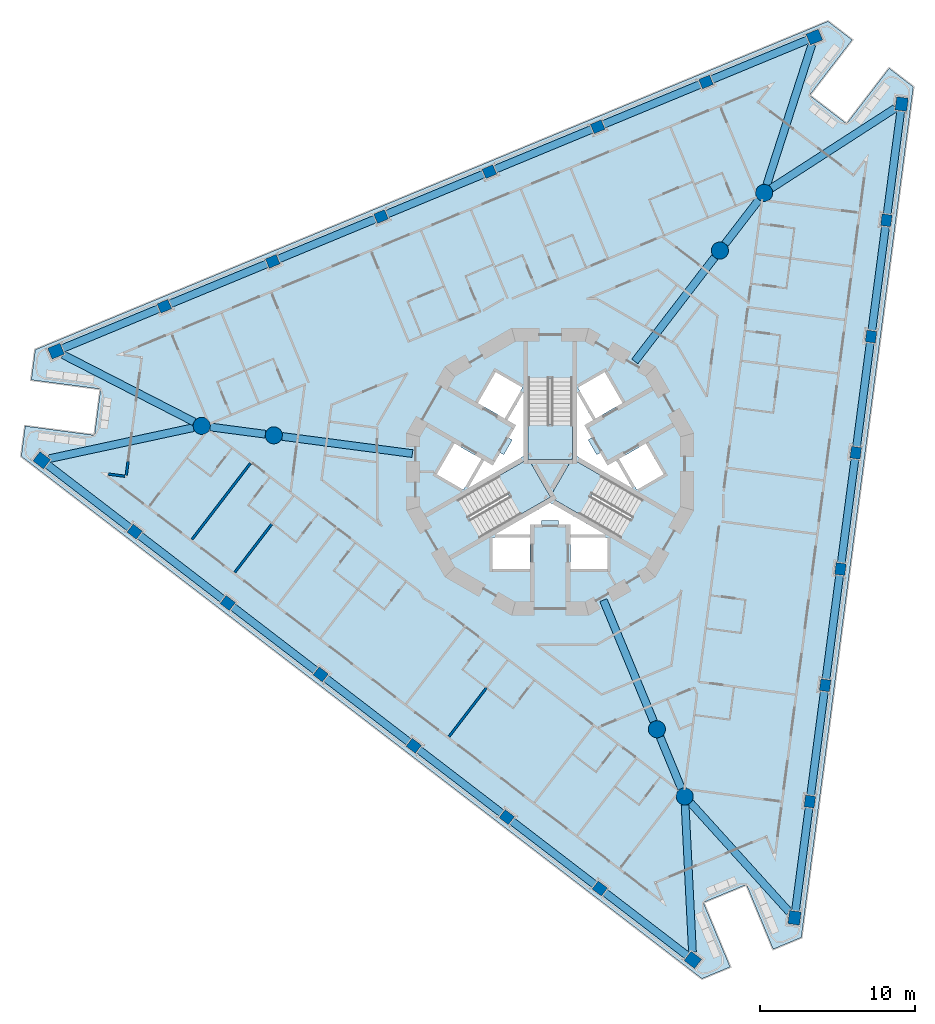
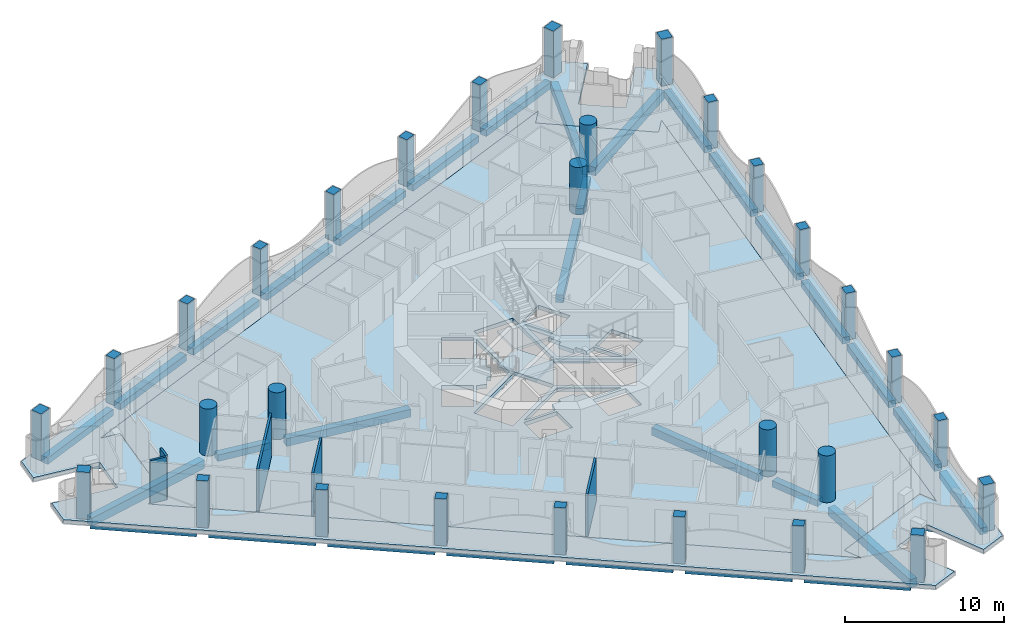
# One storey, part 1 of 18: 33 beams, 30 columns, 6 slabs, 5 walls, 3 elements without a shape of their own.
"""IFC4 building model written with IfcOpenShell, lengths in metres."""

from ifc_helpers import new_model, si_unit, direction, frame, frame_2d, origin, origin_2d, place, context, subcontext, project, spatial, polyline, rectangle, circle, outline, extrude, material, layer, layer_set, material_profile, profile_set, type_object, element, aggregate, save


model = new_model("IFC4")

# Units and contexts
model_context = context("Model", 3, precision=1e-05, world=origin(), true_north=direction((0.0, 1.0)))
body_context = subcontext(model_context, "Body", "Model", "MODEL_VIEW")
ifc_project = project(units=[si_unit("LENGTHUNIT", "METRE"), si_unit("AREAUNIT", "SQUARE_METRE"), si_unit("VOLUMEUNIT", "CUBIC_METRE"), si_unit("PLANEANGLEUNIT", "RADIAN"), si_unit("MASSUNIT", "GRAM", prefix="KILO")], contexts=[model_context])

# Site, building, storey
site_placement = place(None, origin())
site = spatial("IfcSite", under=ifc_project, at=site_placement, CompositionType="ELEMENT")
building_placement = place(site_placement, origin())
building = spatial("IfcBuilding", under=site, at=building_placement, Name="Trine Commons Tower", CompositionType="ELEMENT")
storey_placement = place(building_placement, frame((0.0, 0.0, 142.199951171875)))
storey = spatial("IfcBuildingStorey", under=building, at=storey_placement, Name="L36", CompositionType="ELEMENT", Elevation=142.199951171875)

# Columns
ifc_material_1 = material(Name="Concrete C70/85", Category="concrete")
ifc_material_profile_1 = material_profile(ifc_material_1, rectangle(XDim=0.75, YDim=0.64990234375, at=origin_2d()), Name="RC 750x650")
ifc_profile_set_1 = profile_set([ifc_material_profile_1], Name="Concrete C70/85")
column_type_1 = type_object("IfcColumnType", Name="RC column 750x650, C70/85", PredefinedType="COLUMN", material=ifc_profile_set_1)
for number, where, z_axis, x_axis, name in (
    (1, (83.197021484375, 35.652587890625, 0.0), (0.0, 0.0, 1.0), (-0.793353340291, 0.608761429009, 0.0), "Column PC4-02 L36"),
    (2, (77.20556640625, 40.25, 0.0), (0.0, 0.0, 1.0), (-0.793353340291, 0.608761429009, 0.0), "Column PC4-03 L36"),
    (3, (71.214111328125, 44.847412109375, 0.0), (0.0, 0.0, 1.0), (-0.793353340291, 0.608761429009, 0.0), "Column PC4-04 L36"),
    (4, (65.222900390625, 49.444580078125, 0.0), (0.0, 0.0, 1.0), (-0.793353340291, 0.608761429009, 0.0), "Column PC4-05 L36"),
    (5, (59.2314453125, 54.0419921875, 0.0), (0.0, 0.0, 1.0), (-0.793353340291, 0.608761429009, 0.0), "Column PC4-06 L36"),
    (6, (53.239990234375, 58.639404296875, 0.0), (0.0, 0.0, 1.0), (-0.793353340291, 0.608761429009, 0.0), "Column PC4-07 L36"),
    (7, (55.151123046875, 73.155029296875, 0.0), (0.0, 0.0, 1.0), (0.923879532511, 0.382683432365, 0.0), "Column PC4-10 L36"),
    (8, (62.128173828125, 76.044921875, 0.0), (0.0, 0.0, 1.0), (0.923879532511, 0.382683432365, 0.0), "Column PC4-11 L36"),
    (9, (69.105224609375, 78.93505859375, 0.0), (0.0, 0.0, 1.0), (0.923879532511, 0.382683432365, 0.0), "Column PC4-12 L36"),
    (10, (76.08251953125, 81.8251953125, 0.0), (0.0, 0.0, 1.0), (0.923879532511, 0.382683432365, 0.0), "Column PC4-13 L36"),
    (11, (83.0595703125, 84.715087890625, 0.0), (0.0, 0.0, 1.0), (0.923879532511, 0.382683432365, 0.0), "Column PC4-14 L36"),
    (12, (90.03662109375, 87.60498046875, 0.0), (0.0, 0.0, 1.0), (0.923879532511, 0.382683432365, 0.0), "Column PC4-15 L36"),
    (13, (101.652099609375, 78.692138671875, 0.0), (0.0, 0.0, 1.0), (0.13052619222, 0.991444861374, 0.0), "Column PC4-18 L36"),
    (14, (100.666259765625, 71.204833984375, 0.0), (0.0, 0.0, 1.0), (0.13052619222, 0.991444861374, 0.0), "Column PC4-19 L36"),
    (15, (99.680419921875, 63.717529296875, 0.0), (0.0, 0.0, 1.0), (0.13052619222, 0.991444861374, 0.0), "Column PC4-20 L36"),
    (16, (98.69482421875, 56.230224609375, 0.0), (0.0, 0.0, 1.0), (0.13052619222, 0.991444861374, 0.0), "Column PC4-21 L36"),
    (17, (97.708984375, 48.742919921875, 0.0), (0.0, 0.0, 1.0), (0.13052619222, 0.991444861374, 0.0), "Column PC4-22 L36"),
    (18, (96.723388671875, 41.255615234375, 0.0), (0.0, 0.0, 1.0), (0.13052619222, 0.991444861374, 0.0), "Column PC4-23 L36"),
):
    element("IfcColumn", number, at=place(storey_placement, frame(where, z_axis=z_axis, x_axis=x_axis)), inside=storey, type_object=column_type_1, Name=name, PredefinedType="COLUMN", context=body_context, shape_type="SweptSolid", body=[
        extrude(rectangle(XDim=0.75, YDim=0.64990234375, at=origin_2d()), origin(), (0.0, 0.0, 1.0), 3.60009765625),
    ])
ifc_material_profile_2 = material_profile(ifc_material_1, rectangle(XDim=0.85009765625, YDim=0.75, at=origin_2d()), Name="RC 850x750")
ifc_profile_set_2 = profile_set([ifc_material_profile_2], Name="Concrete C70/85")
column_type_2 = type_object("IfcColumnType", Name="RC column 850x750, C70/85", PredefinedType="COLUMN", material=ifc_profile_set_2)
for number, where, z_axis, x_axis, name in (
    (19, (89.188232421875, 31.055419921875, 0.0), (0.0, 0.0, 1.0), (-0.793353340291, 0.608761429009, 0.0), "Column PC4-01 L36"),
    (20, (47.248779296875, 63.23681640625, 0.0), (0.0, 0.0, 1.0), (-0.793353340291, 0.608761429009, 0.0), "Column PC4-08 L36"),
    (21, (48.174072265625, 70.264892578125, 0.0), (0.0, 0.0, 1.0), (0.923879532511, 0.382683432365, 0.0), "Column PC4-09 L36"),
    (22, (97.013671875, 90.4951171875, 0.0), (0.0, 0.0, 1.0), (0.923879532511, 0.382683432365, 0.0), "Column PC4-16 L36"),
    (23, (102.6376953125, 86.1796875, 0.0), (0.0, 0.0, 1.0), (0.13052619222, 0.991444861374, 0.0), "Column PC4-17 L36"),
    (24, (95.737548828125, 33.768310546875, 0.0), (0.0, 0.0, 1.0), (0.13052619222, 0.991444861374, 0.0), "Column PC4-24 L36"),
):
    element("IfcColumn", number, at=place(storey_placement, frame(where, z_axis=z_axis, x_axis=x_axis)), inside=storey, type_object=column_type_2, Name=name, PredefinedType="COLUMN", context=body_context, shape_type="SweptSolid", body=[
        extrude(rectangle(XDim=0.85009765625, YDim=0.75, at=origin_2d()), origin(), (0.0, 0.0, 1.0), 3.60009765625),
    ])
ifc_material_profile_3 = material_profile(ifc_material_1, circle(Radius=0.550048828125, at=origin_2d()), Name="RC round 1100")
ifc_profile_set_3 = profile_set([ifc_material_profile_3], Name="Concrete C70/85")
column_type_3 = type_object("IfcColumnType", Name="RC round column 1100 mm, C70/85", PredefinedType="COLUMN", material=ifc_profile_set_3)
for number, where, z_axis, x_axis, name in (
    (25, (86.87109375, 45.912109375, 0.0), (0.0, 0.0, 1.0), (1.0, 0.0, 0.0), "Column WC4-1 L36"),
    (26, (88.66259765625, 41.58642578125, 0.0), (0.0, 0.0, 1.0), (1.0, 0.0, 0.0), "Column WC4-2 L36"),
    (27, (90.93017578125, 76.744384765625, 0.0), (0.0, 0.0, 1.0), (1.0, 0.0, 0.0), "Column WC4-3 L36"),
    (28, (93.7802734375, 80.458984375, 0.0), (0.0, 0.0, 1.0), (1.0, 0.0, 0.0), "Column WC4-4 L36"),
    (29, (62.198974609375, 64.843505859375, 0.0), (0.0, 0.0, 1.0), (1.0, 0.0, 0.0), "Column WC4-5 L36"),
    (30, (57.556884765625, 65.45458984375, 0.0), (0.0, 0.0, 1.0), (1.0, 0.0, 0.0), "Column WC4-6 L36"),
):
    element("IfcColumn", number, at=place(storey_placement, frame(where, z_axis=z_axis, x_axis=x_axis)), inside=storey, type_object=column_type_3, Name=name, PredefinedType="COLUMN", context=body_context, shape_type="SweptSolid", body=[
        extrude(circle(Radius=0.550048828125, at=origin_2d()), origin(), (0.0, 0.0, 1.0), 3.60009765625),
    ])

# Beams
ifc_material_2 = material(Name="Concrete C50/60", Category="concrete")
ifc_material_profile_4 = material_profile(ifc_material_2, rectangle(XDim=0.5, YDim=0.5, at=origin_2d()), Name="RC 500x500")
ifc_profile_set_4 = profile_set([ifc_material_profile_4], Name="Concrete C50/60")
beam_type_1 = type_object("IfcBeamType", Name="RC beam 500x500, C50/60", PredefinedType="BEAM", material=ifc_profile_set_4)
beam_1_placement = place(storey_placement, frame((88.85107421875, 31.314208984375, -0.550048828125), z_axis=(-0.793369431695, 0.608740457709, 0.0), x_axis=(-0.608740457709, -0.793369431695, 0.0)))
element("IfcBeam", 31, at=beam_1_placement, inside=storey, type_object=beam_type_1, Name="Beam EB4-01 L36", PredefinedType="BEAM", context=body_context, shape_type="SweptSolid", body=[
    extrude(rectangle(XDim=0.5, YDim=0.5, at=origin_2d()), origin(), (0.0, 0.0, 1.0), 6.751708984375),
])
beam_2_placement = place(storey_placement, frame((82.8994140625, 35.881103515625, -0.550048828125), z_axis=(-0.793370600973, 0.60873893379, 0.0), x_axis=(-0.60873893379, -0.793370600973, 0.0)))
element("IfcBeam", 32, at=beam_2_placement, inside=storey, type_object=beam_type_1, Name="Beam EB4-02 L36", PredefinedType="BEAM", context=body_context, shape_type="SweptSolid", body=[
    extrude(rectangle(XDim=0.5, YDim=0.5, at=origin_2d()), origin(), (0.0, 0.0, 1.0), 6.802001953125),
])
beam_3_placement = place(storey_placement, frame((76.907958984375, 40.478515625, -0.550048828125), z_axis=(-0.793357299922, 0.608756268682, 0.0), x_axis=(-0.608756268682, -0.793357299922, 0.0)))
element("IfcBeam", 33, at=beam_3_placement, inside=storey, type_object=beam_type_1, Name="Beam EB4-03 L36", PredefinedType="BEAM", context=body_context, shape_type="SweptSolid", body=[
    extrude(rectangle(XDim=0.5, YDim=0.5, at=origin_2d()), origin(), (0.0, 0.0, 1.0), 6.8017578125),
])
beam_4_placement = place(storey_placement, frame((70.916748046875, 45.07568359375, -0.550048828125), z_axis=(-0.793370600973, 0.60873893379, 0.0), x_axis=(-0.60873893379, -0.793370600973, 0.0)))
element("IfcBeam", 34, at=beam_4_placement, inside=storey, type_object=beam_type_1, Name="Beam EB4-04 L36", PredefinedType="BEAM", context=body_context, shape_type="SweptSolid", body=[
    extrude(rectangle(XDim=0.5, YDim=0.5, at=origin_2d()), origin(), (0.0, 0.0, 1.0), 6.802001953125),
])
beam_5_placement = place(storey_placement, frame((64.92529296875, 49.673095703125, -0.550048828125), z_axis=(-0.793357299922, 0.608756268682, 0.0), x_axis=(-0.608756268682, -0.793357299922, 0.0)))
element("IfcBeam", 35, at=beam_5_placement, inside=storey, type_object=beam_type_1, Name="Beam EB4-05 L36", PredefinedType="BEAM", context=body_context, shape_type="SweptSolid", body=[
    extrude(rectangle(XDim=0.5, YDim=0.5, at=origin_2d()), origin(), (0.0, 0.0, 1.0), 6.8017578125),
])
beam_6_placement = place(storey_placement, frame((58.93408203125, 54.2705078125, -0.550048828125), z_axis=(-0.793370600973, 0.60873893379, 0.0), x_axis=(-0.60873893379, -0.793370600973, 0.0)))
element("IfcBeam", 36, at=beam_6_placement, inside=storey, type_object=beam_type_1, Name="Beam EB4-06 L36", PredefinedType="BEAM", context=body_context, shape_type="SweptSolid", body=[
    extrude(rectangle(XDim=0.5, YDim=0.5, at=origin_2d()), origin(), (0.0, 0.0, 1.0), 6.802001953125),
])
for number, where, z_axis, x_axis, name in (
    (37, (52.942626953125, 58.86767578125, -0.550048828125), (-0.793351968439, 0.608763216838, 0.0), (-0.608763216838, -0.793351968439, 0.0), "Beam EB4-07 L36"),
    (38, (48.566650390625, 70.427490234375, -0.550048828125), (0.923874044744, 0.382696680739, 0.0), (-0.382696680739, 0.923874044744, 0.0), "Beam EB4-08 L36"),
):
    element("IfcBeam", number, at=place(storey_placement, frame(where, z_axis=z_axis, x_axis=x_axis)), inside=storey, type_object=beam_type_1, Name=name, PredefinedType="BEAM", context=body_context, shape_type="SweptSolid", body=[
        extrude(rectangle(XDim=0.5, YDim=0.5, at=origin_2d()), origin(), (0.0, 0.0, 1.0), 6.751953125),
    ])
for number, where, z_axis, x_axis, name in (
    (39, (55.49755859375, 73.298583984375, -0.550048828125), (0.923877719045, 0.38268781043, 0.0), (-0.38268781043, 0.923877719045, 0.0), "Beam EB4-09 L36"),
    (40, (62.474609375, 76.1884765625, -0.550048828125), (0.923877719045, 0.38268781043, 0.0), (-0.38268781043, 0.923877719045, 0.0), "Beam EB4-10 L36"),
):
    element("IfcBeam", number, at=place(storey_placement, frame(where, z_axis=z_axis, x_axis=x_axis)), inside=storey, type_object=beam_type_1, Name=name, PredefinedType="BEAM", context=body_context, shape_type="SweptSolid", body=[
        extrude(rectangle(XDim=0.5, YDim=0.5, at=origin_2d()), origin(), (0.0, 0.0, 1.0), 6.802001953125),
    ])
for number, where, z_axis, x_axis, name in (
    (41, (69.451904296875, 79.07861328125, -0.550048828125), (0.923872462302, 0.382700500915, 0.0), (-0.382700500915, 0.923872462302, 0.0), "Beam EB4-11 L36"),
    (42, (76.428955078125, 81.968505859375, -0.550048828125), (0.923872462302, 0.382700500915, 0.0), (-0.382700500915, 0.923872462302, 0.0), "Beam EB4-12 L36"),
):
    element("IfcBeam", number, at=place(storey_placement, frame(where, z_axis=z_axis, x_axis=x_axis)), inside=storey, type_object=beam_type_1, Name=name, PredefinedType="BEAM", context=body_context, shape_type="SweptSolid", body=[
        extrude(rectangle(XDim=0.5, YDim=0.5, at=origin_2d()), origin(), (0.0, 0.0, 1.0), 6.8017578125),
    ])
beam_7_placement = place(storey_placement, frame((83.406005859375, 84.858642578125, -0.550048828125), z_axis=(0.923877719045, 0.38268781043, 0.0), x_axis=(-0.38268781043, 0.923877719045, 0.0)))
element("IfcBeam", 43, at=beam_7_placement, inside=storey, type_object=beam_type_1, Name="Beam EB4-13 L36", PredefinedType="BEAM", context=body_context, shape_type="SweptSolid", body=[
    extrude(rectangle(XDim=0.5, YDim=0.5, at=origin_2d()), origin(), (0.0, 0.0, 1.0), 6.802001953125),
])
beam_8_placement = place(storey_placement, frame((90.383056640625, 87.74853515625, -0.550048828125), z_axis=(0.923874044744, 0.382696680739, 0.0), x_axis=(-0.382696680739, 0.923874044744, 0.0)))
element("IfcBeam", 44, at=beam_8_placement, inside=storey, type_object=beam_type_1, Name="Beam EB4-14 L36", PredefinedType="BEAM", context=body_context, shape_type="SweptSolid", body=[
    extrude(rectangle(XDim=0.5, YDim=0.5, at=origin_2d()), origin(), (0.0, 0.0, 1.0), 6.751953125),
])
beam_9_placement = place(storey_placement, frame((102.582275390625, 85.75830078125, -0.550048828125), z_axis=(-0.130529338233, -0.991444447188, 0.0), x_axis=(0.991444447188, -0.130529338233, 0.0)))
element("IfcBeam", 45, at=beam_9_placement, inside=storey, type_object=beam_type_1, Name="Beam EB4-15 L36", PredefinedType="BEAM", context=body_context, shape_type="SweptSolid", body=[
    extrude(rectangle(XDim=0.5, YDim=0.5, at=origin_2d()), origin(), (0.0, 0.0, 1.0), 6.752197265625),
])
for number, where, z_axis, x_axis, name in (
    (46, (101.60302734375, 78.3203125, -0.550048828125), (-0.13054364647, -0.991442563322, 0.0), (0.991442563322, -0.13054364647, 0.0), "Beam EB4-16 L36"),
    (47, (100.6171875, 70.8330078125, -0.550048828125), (-0.13050836468, -0.991447208251, 0.0), (0.991447208251, -0.13050836468, 0.0), "Beam EB4-17 L36"),
    (48, (99.631591796875, 63.345703125, -0.550048828125), (-0.13054364647, -0.991442563322, 0.0), (0.991442563322, -0.13054364647, 0.0), "Beam EB4-18 L36"),
    (49, (98.64599609375, 55.8583984375, -0.550048828125), (-0.13054364647, -0.991442563322, 0.0), (0.991442563322, -0.13054364647, 0.0), "Beam EB4-19 L36"),
    (50, (97.66015625, 48.37109375, -0.550048828125), (-0.13054364647, -0.991442563322, 0.0), (0.991442563322, -0.13054364647, 0.0), "Beam EB4-20 L36"),
):
    element("IfcBeam", number, at=place(storey_placement, frame(where, z_axis=z_axis, x_axis=x_axis)), inside=storey, type_object=beam_type_1, Name=name, PredefinedType="BEAM", context=body_context, shape_type="SweptSolid", body=[
        extrude(rectangle(XDim=0.5, YDim=0.5, at=origin_2d()), origin(), (0.0, 0.0, 1.0), 6.8017578125),
    ])
beam_10_placement = place(storey_placement, frame((96.67431640625, 40.8837890625, -0.550048828125), z_axis=(-0.130498474521, -0.991448510084, 0.0), x_axis=(0.991448510084, -0.130498474521, 0.0)))
element("IfcBeam", 51, at=beam_10_placement, inside=storey, type_object=beam_type_1, Name="Beam EB4-21 L36", PredefinedType="BEAM", context=body_context, shape_type="SweptSolid", body=[
    extrude(rectangle(XDim=0.5, YDim=0.5, at=origin_2d()), origin(), (0.0, 0.0, 1.0), 6.751708984375),
])
beam_11_placement = place(storey_placement, frame((87.08154296875, 45.40380859375, -0.550048828125), z_axis=(0.382644753509, -0.92389555287, 0.0), x_axis=(0.92389555287, 0.382644753509, 0.0)))
element("IfcBeam", 52, at=beam_11_placement, inside=storey, type_object=beam_type_1, Name="Beam RB4-02 L36", PredefinedType="BEAM", context=body_context, shape_type="SweptSolid", body=[
    extrude(rectangle(XDim=0.5, YDim=0.5, at=origin_2d()), origin(), (0.0, 0.0, 1.0), 3.58203125),
])
beam_12_placement = place(storey_placement, frame((91.2646484375, 77.180419921875, -0.550048828125), z_axis=(0.608761938472, 0.793352949366, 0.0), x_axis=(-0.793352949366, 0.608761938472, 0.0)))
element("IfcBeam", 53, at=beam_12_placement, inside=storey, type_object=beam_type_1, Name="Beam RB4-04 L36", PredefinedType="BEAM", context=body_context, shape_type="SweptSolid", body=[
    extrude(rectangle(XDim=0.5, YDim=0.5, at=origin_2d()), origin(), (0.0, 0.0, 1.0), 3.5830078125),
])
beam_13_placement = place(storey_placement, frame((61.654296875, 64.915283203125, -0.550048828125), z_axis=(-0.991441999821, 0.13054792603, 0.0), x_axis=(-0.13054792603, -0.991441999821, 0.0)))
element("IfcBeam", 54, at=beam_13_placement, inside=storey, type_object=beam_type_1, Name="Beam RB4-06 L36", PredefinedType="BEAM", context=body_context, shape_type="SweptSolid", body=[
    extrude(rectangle(XDim=0.5, YDim=0.5, at=origin_2d()), origin(), (0.0, 0.0, 1.0), 3.583251953125),
])
ifc_material_profile_5 = material_profile(ifc_material_2, rectangle(XDim=0.5, YDim=0.60009765625, at=origin_2d()), Name="RC 500x600")
ifc_profile_set_5 = profile_set([ifc_material_profile_5], Name="Concrete C50/60")
beam_type_2 = type_object("IfcBeamType", Name="RC beam 500x600, C50/60", PredefinedType="BEAM", material=ifc_profile_set_5)
beam_14_placement = place(storey_placement, frame((83.426025390625, 54.228515625, -0.599853515625), z_axis=(0.382688551836, -0.92387741194, 0.0), x_axis=(0.92387741194, 0.382688551836, 0.0)))
element("IfcBeam", 55, at=beam_14_placement, inside=storey, type_object=beam_type_2, Name="Beam RB4-01 L36", PredefinedType="BEAM", context=body_context, shape_type="SweptSolid", body=[
    extrude(rectangle(XDim=0.5, YDim=0.60009765625, at=origin_2d()), origin(), (0.0, 0.0, 1.0), 8.45166015625),
])
for number, where, z_axis, x_axis, name in (
    (56, (85.4501953125, 69.602783203125, -0.599853515625), (0.608758331545, 0.793355717049, 0.0), (-0.793355717049, 0.608758331545, 0.0), "Beam RB4-03 L36"),
    (57, (71.123779296875, 63.668701171875, -0.599853515625), (-0.991444756637, 0.130526987771, 0.0), (-0.130526987771, -0.991444756637, 0.0), "Beam RB4-05 L36"),
):
    element("IfcBeam", number, at=place(storey_placement, frame(where, z_axis=z_axis, x_axis=x_axis)), inside=storey, type_object=beam_type_2, Name=name, PredefinedType="BEAM", context=body_context, shape_type="SweptSolid", body=[
        extrude(rectangle(XDim=0.5, YDim=0.60009765625, at=origin_2d()), origin(), (0.0, 0.0, 1.0), 8.452392578125),
    ])
ifc_material_profile_6 = material_profile(ifc_material_2, rectangle(XDim=0.5, YDim=0.64990234375, at=origin_2d()), Name="RC 500x650")
ifc_profile_set_6 = profile_set([ifc_material_profile_6], Name="Concrete C50/60")
beam_type_3 = type_object("IfcBeamType", Name="RC beam 500x650, C50/60", PredefinedType="BEAM", material=ifc_profile_set_6)
for number, where, z_axis, x_axis, name in (
    (58, (47.729736328125, 63.340087890625, -0.625), (0.977623092321, 0.210364182695, 0.0), (-0.210364182695, 0.977623092321, 0.0), "Beam CB4-01 L36"),
    (59, (48.61181640625, 70.04052734375, -0.625), (0.88987015168, -0.456213889692, 0.0), (0.456213889692, 0.88987015168, 0.0), "Beam CB4-02 L36"),
):
    element("IfcBeam", number, at=place(storey_placement, frame(where, z_axis=z_axis, x_axis=x_axis)), inside=storey, type_object=beam_type_3, Name=name, PredefinedType="BEAM", context=body_context, shape_type="SweptSolid", body=[
        extrude(rectangle(XDim=0.5, YDim=0.64990234375, at=origin_2d()), origin(), (0.0, 0.0, 1.0), 9.502685546875),
    ])
for number, where, z_axis, x_axis, name in (
    (60, (96.86279296875, 90.026611328125, -0.625), (-0.306661957359, -0.951818493153, 0.0), (0.951818493153, -0.306661957359, 0.0), "Beam CB4-03 L36"),
    (61, (102.224365234375, 85.91259765625, -0.625), (-0.840029620135, -0.542540539772, 0.0), (0.542540539772, -0.840029620135, 0.0), "Beam CB4-04 L36"),
):
    element("IfcBeam", number, at=place(storey_placement, frame(where, z_axis=z_axis, x_axis=x_axis)), inside=storey, type_object=beam_type_3, Name=name, PredefinedType="BEAM", context=body_context, shape_type="SweptSolid", body=[
        extrude(rectangle(XDim=0.5, YDim=0.64990234375, at=origin_2d()), origin(), (0.0, 0.0, 1.0), 9.50244140625),
    ])
beam_15_placement = place(storey_placement, frame((95.407470703125, 34.133056640625, -0.625), z_axis=(-0.670979247329, 0.74147612885, 0.0), x_axis=(-0.74147612885, -0.670979247329, 0.0)))
element("IfcBeam", 62, at=beam_15_placement, inside=storey, type_object=beam_type_3, Name="Beam CB4-05 L36", PredefinedType="BEAM", context=body_context, shape_type="SweptSolid", body=[
    extrude(rectangle(XDim=0.5, YDim=0.64990234375, at=origin_2d()), origin(), (0.0, 0.0, 1.0), 9.5029296875),
])
beam_16_placement = place(storey_placement, frame((89.163818359375, 31.546875, -0.625), z_axis=(-0.049841513837, 0.998757139398, 0.0), x_axis=(-0.998757139398, -0.049841513837, 0.0)))
element("IfcBeam", 63, at=beam_16_placement, inside=storey, type_object=beam_type_3, Name="Beam CB4-06 L36", PredefinedType="BEAM", context=body_context, shape_type="SweptSolid", body=[
    extrude(rectangle(XDim=0.5, YDim=0.64990234375, at=origin_2d()), origin(), (0.0, 0.0, 1.0), 9.502685546875),
])

# Slabs
ifc_layer_1 = layer(ifc_material_2, 0.300048828125)
ifc_layer_set_1 = layer_set([ifc_layer_1], Name="Concrete C50/60")
slab_type_1 = type_object("IfcSlabType", Name="Loggia slab 300 mm, C50/60", PredefinedType="FLOOR", material=ifc_layer_set_1)
slab_1_placement = place(storey_placement, frame((0.0, 0.0, -0.300048828125)))
element("IfcSlab", 64, at=slab_1_placement, inside=storey, type_object=slab_type_1, Name="Loggia slab L36", PredefinedType="FLOOR", context=body_context, shape_type="SweptSolid", body=[
    extrude(outline(polyline([(96.17578125, 32.500244140625), (103.38916015625, 87.291015625), (101.8310546875, 88.48681640625), (99.091552734375, 84.91650390625), (96.71142578125, 86.742919921875), (99.450927734375, 90.31298828125), (97.892578125, 91.508544921875), (46.835693359375, 70.360107421875), (46.579345703125, 68.412841796875), (51.041015625, 67.825439453125), (50.6494140625, 64.85107421875), (46.187744140625, 65.4384765625), (45.931396484375, 63.4912109375), (89.77490234375, 29.848876953125), (91.589599609375, 30.6005859375), (89.867431640625, 34.758056640625), (92.63916015625, 35.906005859375), (94.361328125, 31.74853515625), (96.17578125, 32.500244140625)]), holes=[polyline([(87.24658203125, 34.814208984375), (86.731689453125, 36.056884765625), (93.93798828125, 39.041748046875), (94.452880859375, 37.799072265625), (100.353271484375, 82.618408203125), (99.53466796875, 81.551513671875), (93.346435546875, 86.2998046875), (94.165283203125, 87.366943359375), (52.400146484375, 70.067138671875), (53.733642578125, 69.8916015625), (52.715576171875, 62.158447265625), (51.382080078125, 62.333984375), (87.24658203125, 34.814208984375)])]), origin(), (0.0, 0.0, 1.0), 0.300048828125),
])
ifc_layer_2 = layer(ifc_material_2, 0.300048828125)
ifc_layer_set_2 = layer_set([ifc_layer_2], Name="Concrete C50/60")
slab_type_2 = type_object("IfcSlabType", Name="PT flat slab 300 mm, C50/60", PredefinedType="FLOOR", material=ifc_layer_set_2)
slab_2_placement = place(storey_placement, frame((0.0, 0.0, -0.300048828125)))
element("IfcSlab", 65, at=slab_2_placement, inside=storey, type_object=slab_type_2, Name="Floor slab L36", PredefinedType="FLOOR", context=body_context, shape_type="SweptSolid", body=[
    extrude(outline(polyline([(51.382080078125, 62.333984375), (87.24658203125, 34.814208984375), (86.731689453125, 36.056884765625), (93.93798828125, 39.041748046875), (94.452880859375, 37.799072265625), (100.353271484375, 82.618408203125), (99.53466796875, 81.551513671875), (93.346435546875, 86.2998046875), (94.165283203125, 87.366943359375), (52.400146484375, 70.067138671875), (53.733642578125, 69.8916015625), (52.715576171875, 62.158447265625), (51.382080078125, 62.333984375)]), holes=[polyline([(78.699951171875, 56.25), (78.699951171875, 58.25), (76.300048828125, 58.25), (76.300048828125, 56.25), (78.699951171875, 56.25)]), polyline([(80.0, 60.8544921875), (84.4755859375, 58.2705078125), (85.900390625, 60.73876953125), (81.425048828125, 63.32275390625), (81.425048828125, 68.490478515625), (78.574951171875, 68.490478515625), (78.574951171875, 63.32275390625), (74.099609375, 60.73876953125), (75.5244140625, 58.2705078125), (80.0, 60.8544921875)]), polyline([(73.83740234375, 64.325927734375), (72.687255859375, 62.333984375), (74.41943359375, 61.333984375), (75.5693359375, 63.325927734375), (73.83740234375, 64.325927734375)]), polyline([(76.381103515625, 63.031005859375), (75.742919921875, 63.22607421875), (74.7099609375, 61.43798828125), (78.27490234375, 63.49609375), (78.27490234375, 67.612060546875), (77.242919921875, 65.823974609375), (77.73095703125, 65.368896484375), (77.3310546875, 64.676025390625), (77.555908203125, 64.5458984375), (77.006103515625, 63.593994140625), (76.781005859375, 63.722900390625), (76.381103515625, 63.031005859375)]), polyline([(76.4873046875, 68.916015625), (75.33740234375, 66.924072265625), (77.0693359375, 65.924072265625), (78.219482421875, 67.916015625), (76.4873046875, 68.916015625)]), polyline([(83.699951171875, 56.25), (83.699951171875, 58.25), (81.300048828125, 58.25), (81.300048828125, 56.25), (83.699951171875, 56.25)]), polyline([(81.14990234375, 59.10009765625), (81.300048828125, 58.449951171875), (83.56494140625, 58.449951171875), (80.0, 60.508056640625), (76.43505859375, 58.449951171875), (78.699951171875, 58.449951171875), (78.85009765625, 59.10009765625), (79.449951171875, 59.10009765625), (79.449951171875, 59.360107421875), (80.550048828125, 59.360107421875), (80.550048828125, 59.10009765625), (81.14990234375, 59.10009765625)]), polyline([(86.16259765625, 64.325927734375), (84.4306640625, 63.325927734375), (85.58056640625, 61.333984375), (87.312744140625, 62.333984375), (86.16259765625, 64.325927734375)]), polyline([(83.243896484375, 63.738037109375), (82.993896484375, 63.593994140625), (82.444091796875, 64.5458984375), (82.72705078125, 64.7099609375), (82.281005859375, 65.549072265625), (82.757080078125, 65.823974609375), (81.72509765625, 67.612060546875), (81.72509765625, 63.49609375), (85.2900390625, 61.43798828125), (84.257080078125, 63.22607421875), (83.618896484375, 63.031005859375), (83.243896484375, 63.738037109375)]), polyline([(84.66259765625, 66.924072265625), (83.5126953125, 68.916015625), (81.780517578125, 67.916015625), (82.9306640625, 65.924072265625), (84.66259765625, 66.924072265625)])]), origin(), (0.0, 0.0, 1.0), 0.300048828125),
])
slab_3_placement = place(storey_placement, frame((0.0, 0.0, -0.300048828125)))
element("IfcSlab", 66, at=slab_3_placement, inside=storey, type_object=slab_type_2, Name="Floor slab L36 2", PredefinedType="FLOOR", context=body_context, shape_type="SweptSolid", body=[
    extrude(outline(polyline([(78.61328125, 63.300537109375), (80.0, 60.89892578125), (81.38671875, 63.300537109375), (78.61328125, 63.300537109375)])), origin(), (0.0, 0.0, 1.0), 0.300048828125),
])

# Stair, slab
stair_type = type_object("IfcStairType", Name="Exit stair, dog-leg, 24 risers of 150 mm", PredefinedType="HALF_TURN_STAIR", material=ifc_material_2)
stair_1_placement = place(storey_placement, origin())
stair_1 = element("IfcStair", 67, at=stair_1_placement, inside=storey, type_object=stair_type, Name="L36 Exit stair ST1B", PredefinedType="HALF_TURN_STAIR")
ifc_layer_3 = layer(ifc_material_2, 0.199951171875)
ifc_layer_set_3 = layer_set([ifc_layer_3], Name="Concrete C50/60")
slab_type_3 = type_object("IfcSlabType", Name="Stair landing slab 200 mm, C50/60", PredefinedType="LANDING", material=ifc_layer_set_3)
slab_4_placement = place(storey_placement, frame((0.0, 0.0, 1.60009765625)))
slab_4 = element("IfcSlab", 68, at=slab_4_placement, type_object=slab_type_3, Name="ST1B landing 1", PredefinedType="LANDING", context=body_context, shape_type="SweptSolid", body=[
    extrude(outline(polyline([(78.574951171875, 65.570556640625), (78.574951171875, 63.300537109375), (81.425048828125, 63.300537109375), (81.425048828125, 65.570556640625), (78.574951171875, 65.570556640625)])), origin(), (0.0, 0.0, 1.0), 0.199951171875),
])
aggregate(stair_1, [slab_4])

stair_2_placement = place(storey_placement, origin())
stair_2 = element("IfcStair", 69, at=stair_2_placement, inside=storey, type_object=stair_type, Name="L36 Exit stair ST2B", PredefinedType="HALF_TURN_STAIR")
slab_5_placement = place(storey_placement, frame((0.0, 0.0, 1.60009765625)))
slab_5 = element("IfcSlab", 70, at=slab_5_placement, type_object=slab_type_3, Name="ST2B landing 1", PredefinedType="LANDING", context=body_context, shape_type="SweptSolid", body=[
    extrude(outline(polyline([(78.05322265625, 59.730712890625), (80.019287109375, 60.86572265625), (78.59423828125, 63.333740234375), (76.628173828125, 62.19873046875), (78.05322265625, 59.730712890625)])), origin(), (0.0, 0.0, 1.0), 0.199951171875),
])
aggregate(stair_2, [slab_5])

stair_3_placement = place(storey_placement, origin())
stair_3 = element("IfcStair", 71, at=stair_3_placement, inside=storey, type_object=stair_type, Name="L36 Exit stair ST3B", PredefinedType="HALF_TURN_STAIR")
slab_6_placement = place(storey_placement, frame((0.0, 0.0, 1.60009765625)))
slab_6 = element("IfcSlab", 72, at=slab_6_placement, type_object=slab_type_3, Name="ST3B landing 1", PredefinedType="LANDING", context=body_context, shape_type="SweptSolid", body=[
    extrude(outline(polyline([(83.371826171875, 62.19873046875), (81.40576171875, 63.333740234375), (79.980712890625, 60.86572265625), (81.94677734375, 59.730712890625), (83.371826171875, 62.19873046875)])), origin(), (0.0, 0.0, 1.0), 0.199951171875),
])
aggregate(stair_3, [slab_6])

# Walls
ifc_material_3 = material(Name="Aluminium-framed insulated wall panel", Category="aluminium")
ifc_layer_4 = layer(ifc_material_3, 0.14990234375)
ifc_layer_set_4 = layer_set([ifc_layer_4], Name="Aluminium-framed insulated wall panel")
wall_type_1 = type_object("IfcWallType", Name="Glazed frame wall 150, EI 60", PredefinedType="SOLIDWALL", material=ifc_layer_set_4)
wall_1_placement = place(storey_placement, frame((51.38671875, 62.36865234375, 0.0), z_axis=(0.0, 0.0, 1.0), x_axis=(0.991446880033, -0.130510858064, 0.0)))
element("IfcWall", 73, at=wall_1_placement, inside=storey, type_object=wall_type_1, Name="Glazed frame wall R1", PredefinedType="SOLIDWALL", context=body_context, shape_type="SweptSolid", body=[
    extrude(outline(polyline([(0.1494140625, 0.074951171875), (0.1494140625, -0.074951171875), (1.235107421875, -0.074951171875), (1.235107421875, 0.074951171875), (0.1494140625, 0.074951171875)])), origin(), (0.0, 0.0, 1.0), 3.300048828125),
])
wall_2_placement = place(storey_placement, frame((52.680908203125, 62.1630859375, 0.0), z_axis=(0.0, 0.0, 1.0), x_axis=(0.130403976344, 0.991460943736, 0.0)))
element("IfcWall", 74, at=wall_2_placement, inside=storey, type_object=wall_type_1, Name="Glazed frame wall P1.1", PredefinedType="SOLIDWALL", context=body_context, shape_type="SweptSolid", body=[
    extrude(outline(polyline([(0.110107421875, -0.074951171875), (1.0, -0.074951171875), (1.0, 0.074951171875), (0.110107421875, 0.074951171875), (0.110107421875, -0.074951171875)])), origin(), (0.0, 0.0, 1.0), 3.300048828125),
])
ifc_material_4 = material(Name="Gypsum plasterboard on steel stud", Category="steel")
ifc_layer_5 = layer(ifc_material_4, 0.14990234375)
ifc_layer_set_5 = layer_set([ifc_layer_5], Name="Gypsum plasterboard on steel stud")
wall_type_2 = type_object("IfcWallType", Name="Unit and corridor wall 150 mm, EI 60", PredefinedType="PARTITIONING", material=ifc_layer_set_5)
wall_3_placement = place(storey_placement, frame((56.92431640625, 58.131591796875, 0.0), z_axis=(0.0, 0.0, 1.0), x_axis=(0.608635904236, 0.793449643062, 0.0)))
element("IfcWall", 75, at=wall_3_placement, inside=storey, type_object=wall_type_2, Name="Partition 004", PredefinedType="PARTITIONING", context=body_context, shape_type="SweptSolid", body=[
    extrude(rectangle(XDim=6.194091796875, YDim=0.14990234375, at=frame_2d((3.09716796875, 0.0))), origin(), (0.0, 0.0, 1.0), 3.300048828125),
])
wall_4_placement = place(storey_placement, frame((59.682373046875, 56.0146484375, 0.0), z_axis=(0.0, 0.0, 1.0), x_axis=(0.608783231907, 0.793336609863, 0.0)))
element("IfcWall", 76, at=wall_4_placement, inside=storey, type_object=wall_type_2, Name="Partition 012", PredefinedType="PARTITIONING", context=body_context, shape_type="SweptSolid", body=[
    extrude(rectangle(XDim=3.919677734375, YDim=0.14990234375, at=frame_2d((1.9599609375, 0.0))), origin(), (0.0, 0.0, 1.0), 3.300048828125),
])
wall_5_placement = place(storey_placement, frame((73.476318359375, 45.4306640625, 0.0), z_axis=(0.0, 0.0, 1.0), x_axis=(0.60889890565, 0.793247831827, 0.0)))
element("IfcWall", 77, at=wall_5_placement, inside=storey, type_object=wall_type_2, Name="Partition 053", PredefinedType="PARTITIONING", context=body_context, shape_type="SweptSolid", body=[
    extrude(rectangle(XDim=3.968994140625, YDim=0.14990234375, at=frame_2d((1.984375, 0.0))), origin(), (0.0, 0.0, 1.0), 3.300048828125),
])

save(model, "model.ifc")
